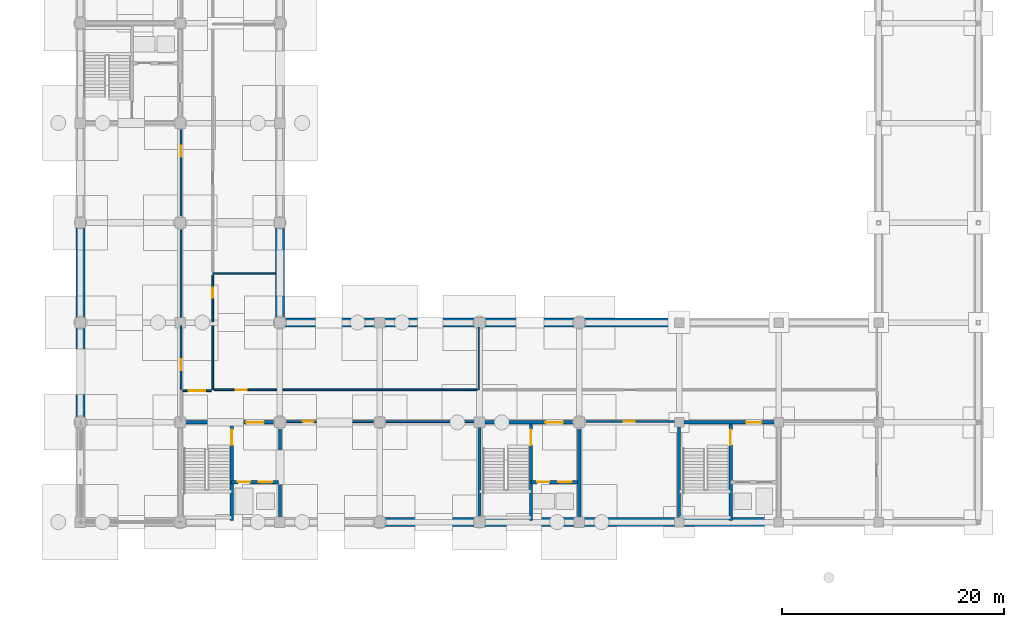
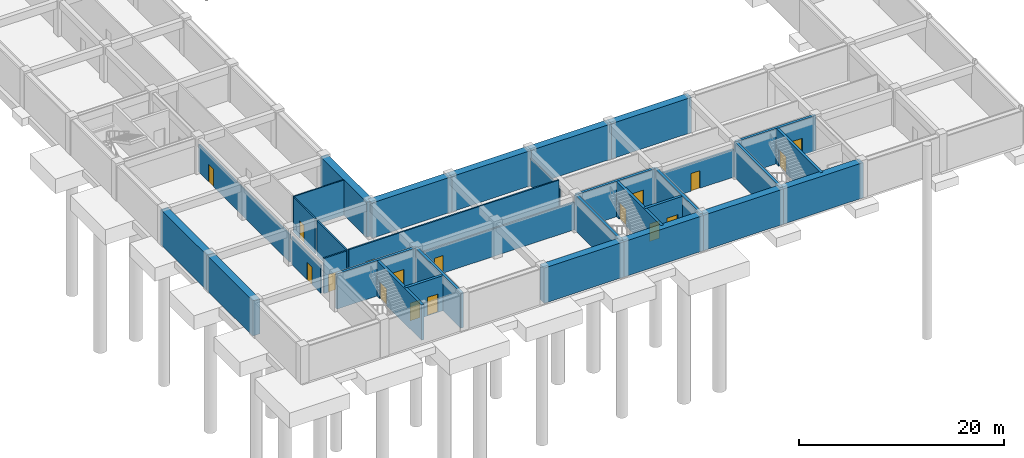
# One storey, part 23 of 41: 33 walls, 17 doors, 17 openings.
"""IFC4 building model written with IfcOpenShell, lengths in metres."""

from ifc_helpers import new_model, si_unit, direction, frame, frame_2d, origin, place, context, subcontext, project, spatial, rectangle, extrude, material, layer, layer_set, type_object, element, fill, save


model = new_model("IFC4")

# Units and contexts
model_context = context("Model", 3, precision=1e-05, world=origin(), true_north=direction((0.0, 1.0)))
body_context = subcontext(model_context, "Body", "Model", "MODEL_VIEW")
ifc_project = project(units=[si_unit("LENGTHUNIT", "METRE"), si_unit("AREAUNIT", "SQUARE_METRE"), si_unit("VOLUMEUNIT", "CUBIC_METRE"), si_unit("PLANEANGLEUNIT", "RADIAN"), si_unit("MASSUNIT", "GRAM", prefix="KILO")], contexts=[model_context])

# Site, building, storey
site_placement = place(None, origin())
site = spatial("IfcSite", under=ifc_project, at=site_placement, CompositionType="ELEMENT")
building_placement = place(site_placement, origin())
building = spatial("IfcBuilding", under=site, at=building_placement, Name="Palais des Congres Ocreval", CompositionType="ELEMENT")
storey_placement = place(building_placement, frame((0.0, 0.0, -8.9599609375)))
storey = spatial("IfcBuildingStorey", under=building, at=storey_placement, Name="B2", CompositionType="ELEMENT", Elevation=-8.9599609375)

# Wall
ifc_material_1 = material(Name="Moisture-resistant gypsum board")
ifc_layer_1 = layer(ifc_material_1, 0.139892578125)
ifc_layer_set_1 = layer_set([ifc_layer_1], Name="Bathroom Plumbing Chase Wall 140 Gypsum (Moisture-resistant gypsum board)")
wall_type_1 = type_object("IfcWallType", Name="Bathroom Plumbing Chase Wall 140 Gypsum", PredefinedType="PLUMBINGWALL", material=ifc_layer_set_1)
wall_1_placement = place(storey_placement, frame((11.93994140625, 22.43505859375, 0.0), z_axis=(0.0, 0.0, 1.0), x_axis=(1.0, 0.0, 0.0)))
element("IfcWall", 1, at=wall_1_placement, inside=storey, type_object=wall_type_1, Name="Interior Partition PW03 B2", PredefinedType="PLUMBINGWALL", context=body_context, shape_type="SweptSolid", body=[
    extrude(rectangle(XDim=5.655029296875, YDim=0.139892578125, at=frame_2d((2.82763671875, 0.0))), origin(), (0.0, 0.0, 1.0), 4.199951171875),
])

# Wall, opening, door
wall_2_placement = place(storey_placement, frame((11.93505859375, 18.070068359375, 0.0), z_axis=(0.0, 0.0, 1.0), x_axis=(0.0, 1.0, 0.0)))
wall_2 = element("IfcWall", 2, at=wall_2_placement, inside=storey, type_object=wall_type_1, Name="Interior Partition PW03 B2", PredefinedType="PLUMBINGWALL", context=body_context, shape_type="SweptSolid", body=[
    extrude(rectangle(XDim=4.2099609375, YDim=0.139892578125, at=frame_2d((2.10498046875, 0.0))), origin(), (0.0, 0.0, 1.0), 4.199951171875),
])
opening_1_placement = place(wall_2_placement, frame((2.16015625, 0.0, 0.0)))
opening_1 = element("IfcOpeningElement", 3, at=opening_1_placement, cuts=wall_2, Name="Opening D09", PredefinedType="OPENING", context=body_context, shape_type="SweptSolid", body=[
    extrude(rectangle(XDim=0.89990234375, YDim=2.10009765625, at=frame_2d((0.449951171875, 1.050048828125))), frame((0.0, 0.079833984375, 0.0), z_axis=(0.0, -1.0, 0.0), x_axis=(1.0, 0.0, 0.0)), (0.0, 0.0, 1.0), 0.159912109375),
])
ifc_material_2 = material(Name="Solid French oak", Category="wood")
door_type_1 = type_object("IfcDoorType", Name="Accessible Restroom Door 900x2100", OperationType="NOTDEFINED", PredefinedType="DOOR", material=ifc_material_2)
door_1_placement = place(opening_1_placement, origin())
door_1 = element("IfcDoor", 4, at=door_1_placement, inside=storey, type_object=door_type_1, Name="Interior Door D09 B2", OperationType="SINGLE_SWING_RIGHT", OverallHeight=2.10009765625, OverallWidth=0.89990234375, PredefinedType="DOOR", context=body_context, shape_type="SweptSolid", body=[
    extrude(rectangle(XDim=0.89990234375, YDim=2.10009765625, at=frame_2d((0.449951171875, 1.050048828125))), frame((0.0, 0.02490234375, 0.0), z_axis=(0.0, -1.0, 0.0), x_axis=(1.0, 0.0, 0.0)), (0.0, 0.0, 1.0), 0.050048828125),
])
fill(opening_1, door_1)

ifc_material_3 = material(Name="Gypsum acoustic fire board")
ifc_layer_2 = layer(ifc_material_3, 0.199951171875)
ifc_layer_set_2 = layer_set([ifc_layer_2], Name="Compartment Fire Partition 200 Gypsum (Gypsum acoustic fire board)")
wall_type_2 = type_object("IfcWallType", Name="Compartment Fire Partition 200 Gypsum", PredefinedType="PARTITIONING", material=ifc_layer_set_2)
wall_3_placement = place(storey_placement, frame((45.155029296875, 9.06494140625, 0.0), z_axis=(0.0, 0.0, 1.0), x_axis=(1.0, 0.0, 0.0)))
wall_3 = element("IfcWall", 5, at=wall_3_placement, inside=storey, type_object=wall_type_2, Name="Interior Partition IW01 B2", PredefinedType="PARTITIONING", context=body_context, shape_type="SweptSolid", body=[
    extrude(rectangle(XDim=8.68994140625, YDim=0.199951171875, at=frame_2d((4.344970703125, 0.0))), origin(), (0.0, 0.0, 1.0), 3.300048828125),
])
opening_2_placement = place(wall_3_placement, frame((3.844970703125, 0.0, 0.0)))
opening_2 = element("IfcOpeningElement", 6, at=opening_2_placement, cuts=wall_3, Name="Opening D10", PredefinedType="OPENING", context=body_context, shape_type="SweptSolid", body=[
    extrude(rectangle(XDim=1.0, YDim=2.10009765625, at=frame_2d((0.5, 1.050048828125))), frame((0.0, 0.10986328125, 0.0), z_axis=(0.0, -1.0, 0.0), x_axis=(1.0, 0.0, 0.0)), (0.0, 0.0, 1.0), 0.219970703125),
])
ifc_material_4 = material(Name="Painted steel", Category="steel")
door_type_2 = type_object("IfcDoorType", Name="Service and Pantry Door 1000x2100", OperationType="NOTDEFINED", PredefinedType="DOOR", material=ifc_material_4)
door_2_placement = place(opening_2_placement, origin())
door_2 = element("IfcDoor", 7, at=door_2_placement, inside=storey, type_object=door_type_2, Name="Interior Door D10 B2", OperationType="SINGLE_SWING_RIGHT", OverallHeight=2.10009765625, OverallWidth=1.0, PredefinedType="DOOR", context=body_context, shape_type="SweptSolid", body=[
    extrude(rectangle(XDim=1.0, YDim=2.10009765625, at=frame_2d((0.5, 1.050048828125))), frame((0.0, 0.02490234375, 0.0), z_axis=(0.0, -1.0, 0.0), x_axis=(1.0, 0.0, 0.0)), (0.0, 0.0, 1.0), 0.050048828125),
])
fill(opening_2, door_2)

# Wall
ifc_material_5 = material(Name="Concrete C40/50", Category="concrete")
ifc_layer_3 = layer(ifc_material_5, 0.300048828125)
ifc_layer_set_3 = layer_set([ifc_layer_3], Name="Core Shear Wall 300 Concrete C40/50")
wall_type_3 = type_object("IfcWallType", Name="Core Shear Wall 300 Concrete C40/50", PredefinedType="SHEAR", material=ifc_layer_set_3)
wall_4_placement = place(storey_placement, frame((18.0, 0.0, 0.0), z_axis=(0.0, 0.0, 1.0), x_axis=(0.0, 1.0, 0.0)))
element("IfcWall", 8, at=wall_4_placement, inside=storey, type_object=wall_type_3, Name="Core Shear Wall SC01 B2 E", PredefinedType="SHEAR", context=body_context, shape_type="SweptSolid", body=[
    extrude(rectangle(XDim=9.0, YDim=0.300048828125, at=frame_2d((4.5, 0.0))), origin(), (0.0, 0.0, 1.0), 4.199951171875),
])

# Wall, opening, door
wall_5_placement = place(storey_placement, frame((9.0, 9.0, 0.0), z_axis=(0.0, 0.0, 1.0), x_axis=(1.0, 0.0, 0.0)))
wall_5 = element("IfcWall", 9, at=wall_5_placement, inside=storey, type_object=wall_type_3, Name="Core Shear Wall SC01 B2 N", PredefinedType="SHEAR", context=body_context, shape_type="SweptSolid", body=[
    extrude(rectangle(XDim=9.0, YDim=0.300048828125, at=frame_2d((4.5, 0.0))), origin(), (0.0, 0.0, 1.0), 4.199951171875),
])
opening_3_placement = place(wall_5_placement, frame((5.949951171875, 0.0, 0.0)))
opening_3 = element("IfcOpeningElement", 10, at=opening_3_placement, cuts=wall_5, Name="Opening D02", PredefinedType="OPENING", context=body_context, shape_type="SweptSolid", body=[
    extrude(rectangle(XDim=1.60009765625, YDim=2.10009765625, at=frame_2d((0.800048828125, 1.050048828125))), frame((0.0, 0.159912109375, 0.0), z_axis=(0.0, -1.0, 0.0), x_axis=(1.0, 0.0, 0.0)), (0.0, 0.0, 1.0), 0.320068359375),
])
ifc_material_6 = material(Name="Painted fire-rated steel", Category="steel")
door_type_3 = type_object("IfcDoorType", Name="Firefighting Lobby Rated Door 1600x2100", OperationType="NOTDEFINED", PredefinedType="DOOR", material=ifc_material_6)
door_3_placement = place(opening_3_placement, origin())
door_3 = element("IfcDoor", 11, at=door_3_placement, inside=storey, type_object=door_type_3, Name="Firefighting Lobby Entrance Door SC01 B2", OperationType="DOUBLE_DOOR_SINGLE_SWING", OverallHeight=2.10009765625, OverallWidth=1.60009765625, PredefinedType="DOOR", context=body_context, shape_type="SweptSolid", body=[
    extrude(rectangle(XDim=1.60009765625, YDim=2.10009765625, at=frame_2d((0.800048828125, 1.050048828125))), frame((0.0, 0.02490234375, 0.0), z_axis=(0.0, -1.0, 0.0), x_axis=(1.0, 0.0, 0.0)), (0.0, 0.0, 1.0), 0.050048828125),
])
fill(opening_3, door_3)

wall_6_placement = place(storey_placement, frame((13.64990234375, 0.14990234375, 0.0), z_axis=(0.0, 0.0, 1.0), x_axis=(0.0, 1.0, 0.0)))
wall_6 = element("IfcWall", 12, at=wall_6_placement, inside=storey, type_object=wall_type_3, Name="Core Spine Shear Wall SC01 B2", PredefinedType="SHEAR", context=body_context, shape_type="SweptSolid", body=[
    extrude(rectangle(XDim=8.7001953125, YDim=0.300048828125, at=frame_2d((4.35009765625, 0.0))), origin(), (0.0, 0.0, 1.0), 4.199951171875),
])
opening_4_placement = place(wall_6_placement, frame((6.800048828125, 0.0, 0.0)))
opening_4 = element("IfcOpeningElement", 13, at=opening_4_placement, cuts=wall_6, Name="Opening D03", PredefinedType="OPENING", context=body_context, shape_type="SweptSolid", body=[
    extrude(rectangle(XDim=1.39990234375, YDim=2.02001953125, at=frame_2d((0.699951171875, 1.010009765625))), frame((0.0, 0.159912109375, 0.0), z_axis=(0.0, -1.0, 0.0), x_axis=(1.0, 0.0, 0.0)), (0.0, 0.0, 1.0), 0.320068359375),
])
door_type_4 = type_object("IfcDoorType", Name="Core Lobby Rated Door 1400x2020", OperationType="NOTDEFINED", PredefinedType="DOOR", material=ifc_material_6)
door_4_placement = place(opening_4_placement, origin())
door_4 = element("IfcDoor", 14, at=door_4_placement, inside=storey, type_object=door_type_4, Name="Protected Exit Stair Door ST01 B2", OperationType="SINGLE_SWING_LEFT", OverallHeight=2.02001953125, OverallWidth=1.39990234375, PredefinedType="DOOR", context=body_context, shape_type="SweptSolid", body=[
    extrude(rectangle(XDim=1.39990234375, YDim=2.02001953125, at=frame_2d((0.699951171875, 1.010009765625))), frame((0.0, 0.02490234375, 0.0), z_axis=(0.0, -1.0, 0.0), x_axis=(1.0, 0.0, 0.0)), (0.0, 0.0, 1.0), 0.050048828125),
])
fill(opening_4, door_4)

# Wall, openings, doors
wall_7_placement = place(storey_placement, frame((13.64990234375, 3.60009765625, 0.0), z_axis=(0.0, 0.0, 1.0), x_axis=(1.0, 0.0, 0.0)))
wall_7 = element("IfcWall", 15, at=wall_7_placement, inside=storey, type_object=wall_type_3, Name="Lift Shaft Front Wall SC01 B2", PredefinedType="SHEAR", context=body_context, shape_type="SweptSolid", body=[
    extrude(rectangle(XDim=4.2001953125, YDim=0.300048828125, at=frame_2d((2.10009765625, 0.0))), origin(), (0.0, 0.0, 1.0), 4.199951171875),
])
opening_5_placement = place(wall_7_placement, frame((0.550048828125, 0.0, 0.0)))
opening_5 = element("IfcOpeningElement", 16, at=opening_5_placement, cuts=wall_7, Name="Opening LD01", PredefinedType="OPENING", context=body_context, shape_type="SweptSolid", body=[
    extrude(rectangle(XDim=1.10009765625, YDim=2.10009765625, at=frame_2d((0.550048828125, 1.050048828125))), frame((0.0, 0.159912109375, 0.0), z_axis=(0.0, -1.0, 0.0), x_axis=(1.0, 0.0, 0.0)), (0.0, 0.0, 1.0), 0.320068359375),
])
opening_6_placement = place(wall_7_placement, frame((2.449951171875, 0.0, 0.0)))
opening_6 = element("IfcOpeningElement", 17, at=opening_6_placement, cuts=wall_7, Name="Opening LD02", PredefinedType="OPENING", context=body_context, shape_type="SweptSolid", body=[
    extrude(rectangle(XDim=1.199951171875, YDim=2.199951171875, at=frame_2d((0.60009765625, 1.10009765625))), frame((0.0, 0.159912109375, 0.0), z_axis=(0.0, -1.0, 0.0), x_axis=(1.0, 0.0, 0.0)), (0.0, 0.0, 1.0), 0.320068359375),
])
ifc_material_7 = material(Name="Stainless steel", Category="steel")
door_type_5 = type_object("IfcDoorType", Name="Firefighting Lift Sliding Landing Door 1100x2100", OperationType="NOTDEFINED", PredefinedType="DOOR", material=ifc_material_7)
door_5_placement = place(opening_5_placement, origin())
door_5 = element("IfcDoor", 18, at=door_5_placement, inside=storey, type_object=door_type_5, Name="Lift Landing Sliding Door FF1 B2", OperationType="DOUBLE_DOOR_SLIDING", OverallHeight=2.10009765625, OverallWidth=1.10009765625, PredefinedType="DOOR", context=body_context, shape_type="SweptSolid", body=[
    extrude(rectangle(XDim=1.10009765625, YDim=2.10009765625, at=frame_2d((0.550048828125, 1.050048828125))), frame((0.0, 0.02490234375, 0.0), z_axis=(0.0, -1.0, 0.0), x_axis=(1.0, 0.0, 0.0)), (0.0, 0.0, 1.0), 0.050048828125),
])
fill(opening_5, door_5)
ifc_material_8 = material(Name="Anodized bronze steel", Category="steel")
door_type_6 = type_object("IfcDoorType", Name="Passenger and Service Lift Sliding Door 1200x2200", OperationType="NOTDEFINED", PredefinedType="DOOR", material=ifc_material_8)
door_6_placement = place(opening_6_placement, origin())
door_6 = element("IfcDoor", 19, at=door_6_placement, inside=storey, type_object=door_type_6, Name="Lift Landing Sliding Door PL1 B2", OperationType="DOUBLE_DOOR_SLIDING", OverallHeight=2.199951171875, OverallWidth=1.199951171875, PredefinedType="DOOR", context=body_context, shape_type="SweptSolid", body=[
    extrude(rectangle(XDim=1.199951171875, YDim=2.199951171875, at=frame_2d((0.60009765625, 1.10009765625))), frame((0.0, 0.02490234375, 0.0), z_axis=(0.0, -1.0, 0.0), x_axis=(1.0, 0.0, 0.0)), (0.0, 0.0, 1.0), 0.050048828125),
])
fill(opening_6, door_6)

# Wall
wall_8_placement = place(storey_placement, frame((45.0, 0.0, 0.0), z_axis=(0.0, 0.0, 1.0), x_axis=(0.0, 1.0, 0.0)))
element("IfcWall", 20, at=wall_8_placement, inside=storey, type_object=wall_type_3, Name="Core Shear Wall SC02 B2 E", PredefinedType="SHEAR", context=body_context, shape_type="SweptSolid", body=[
    extrude(rectangle(XDim=9.0, YDim=0.300048828125, at=frame_2d((4.5, 0.0))), origin(), (0.0, 0.0, 1.0), 4.199951171875),
])

# Wall, opening, door
wall_9_placement = place(storey_placement, frame((36.0, 9.0, 0.0), z_axis=(0.0, 0.0, 1.0), x_axis=(1.0, 0.0, 0.0)))
wall_9 = element("IfcWall", 21, at=wall_9_placement, inside=storey, type_object=wall_type_3, Name="Core Shear Wall SC02 B2 N", PredefinedType="SHEAR", context=body_context, shape_type="SweptSolid", body=[
    extrude(rectangle(XDim=9.0, YDim=0.300048828125, at=frame_2d((4.5, 0.0))), origin(), (0.0, 0.0, 1.0), 4.199951171875),
])
opening_7_placement = place(wall_9_placement, frame((5.949951171875, 0.0, 0.0)))
opening_7 = element("IfcOpeningElement", 22, at=opening_7_placement, cuts=wall_9, Name="Opening D02", PredefinedType="OPENING", context=body_context, shape_type="SweptSolid", body=[
    extrude(rectangle(XDim=1.60009765625, YDim=2.10009765625, at=frame_2d((0.800048828125, 1.050048828125))), frame((0.0, 0.159912109375, 0.0), z_axis=(0.0, -1.0, 0.0), x_axis=(1.0, 0.0, 0.0)), (0.0, 0.0, 1.0), 0.320068359375),
])
door_7_placement = place(opening_7_placement, origin())
door_7 = element("IfcDoor", 23, at=door_7_placement, inside=storey, type_object=door_type_3, Name="Firefighting Lobby Entrance Door SC02 B2", OperationType="DOUBLE_DOOR_SINGLE_SWING", OverallHeight=2.10009765625, OverallWidth=1.60009765625, PredefinedType="DOOR", context=body_context, shape_type="SweptSolid", body=[
    extrude(rectangle(XDim=1.60009765625, YDim=2.10009765625, at=frame_2d((0.800048828125, 1.050048828125))), frame((0.0, 0.02490234375, 0.0), z_axis=(0.0, -1.0, 0.0), x_axis=(1.0, 0.0, 0.0)), (0.0, 0.0, 1.0), 0.050048828125),
])
fill(opening_7, door_7)

# Wall
wall_10_placement = place(storey_placement, frame((36.0, 0.0, 0.0), z_axis=(0.0, 0.0, 1.0), x_axis=(0.0, 1.0, 0.0)))
element("IfcWall", 24, at=wall_10_placement, inside=storey, type_object=wall_type_3, Name="Core Shear Wall SC02 B2 W", PredefinedType="SHEAR", context=body_context, shape_type="SweptSolid", body=[
    extrude(rectangle(XDim=9.0, YDim=0.300048828125, at=frame_2d((4.5, 0.0))), origin(), (0.0, 0.0, 1.0), 4.199951171875),
])

# Wall, opening, door
wall_11_placement = place(storey_placement, frame((40.64990234375, 0.14990234375, 0.0), z_axis=(0.0, 0.0, 1.0), x_axis=(0.0, 1.0, 0.0)))
wall_11 = element("IfcWall", 25, at=wall_11_placement, inside=storey, type_object=wall_type_3, Name="Core Spine Shear Wall SC02 B2", PredefinedType="SHEAR", context=body_context, shape_type="SweptSolid", body=[
    extrude(rectangle(XDim=8.7001953125, YDim=0.300048828125, at=frame_2d((4.35009765625, 0.0))), origin(), (0.0, 0.0, 1.0), 4.199951171875),
])
opening_8_placement = place(wall_11_placement, frame((6.800048828125, 0.0, 0.0)))
opening_8 = element("IfcOpeningElement", 26, at=opening_8_placement, cuts=wall_11, Name="Opening D03", PredefinedType="OPENING", context=body_context, shape_type="SweptSolid", body=[
    extrude(rectangle(XDim=1.39990234375, YDim=2.02001953125, at=frame_2d((0.699951171875, 1.010009765625))), frame((0.0, 0.159912109375, 0.0), z_axis=(0.0, -1.0, 0.0), x_axis=(1.0, 0.0, 0.0)), (0.0, 0.0, 1.0), 0.320068359375),
])
door_8_placement = place(opening_8_placement, origin())
door_8 = element("IfcDoor", 27, at=door_8_placement, inside=storey, type_object=door_type_4, Name="Protected Exit Stair Door ST02 B2", OperationType="SINGLE_SWING_RIGHT", OverallHeight=2.02001953125, OverallWidth=1.39990234375, PredefinedType="DOOR", context=body_context, shape_type="SweptSolid", body=[
    extrude(rectangle(XDim=1.39990234375, YDim=2.02001953125, at=frame_2d((0.699951171875, 1.010009765625))), frame((0.0, 0.02490234375, 0.0), z_axis=(0.0, -1.0, 0.0), x_axis=(1.0, 0.0, 0.0)), (0.0, 0.0, 1.0), 0.050048828125),
])
fill(opening_8, door_8)

# Wall, openings, doors
wall_12_placement = place(storey_placement, frame((40.64990234375, 3.60009765625, 0.0), z_axis=(0.0, 0.0, 1.0), x_axis=(1.0, 0.0, 0.0)))
wall_12 = element("IfcWall", 28, at=wall_12_placement, inside=storey, type_object=wall_type_3, Name="Lift Shaft Front Wall SC02 B2", PredefinedType="SHEAR", context=body_context, shape_type="SweptSolid", body=[
    extrude(rectangle(XDim=4.2001953125, YDim=0.300048828125, at=frame_2d((2.10009765625, 0.0))), origin(), (0.0, 0.0, 1.0), 4.199951171875),
])
opening_9_placement = place(wall_12_placement, frame((0.550048828125, 0.0, 0.0)))
opening_9 = element("IfcOpeningElement", 29, at=opening_9_placement, cuts=wall_12, Name="Opening LD01", PredefinedType="OPENING", context=body_context, shape_type="SweptSolid", body=[
    extrude(rectangle(XDim=1.10009765625, YDim=2.10009765625, at=frame_2d((0.550048828125, 1.050048828125))), frame((0.0, 0.159912109375, 0.0), z_axis=(0.0, -1.0, 0.0), x_axis=(1.0, 0.0, 0.0)), (0.0, 0.0, 1.0), 0.320068359375),
])
opening_10_placement = place(wall_12_placement, frame((2.449951171875, 0.0, 0.0)))
opening_10 = element("IfcOpeningElement", 30, at=opening_10_placement, cuts=wall_12, Name="Opening LD02", PredefinedType="OPENING", context=body_context, shape_type="SweptSolid", body=[
    extrude(rectangle(XDim=1.199951171875, YDim=2.199951171875, at=frame_2d((0.60009765625, 1.10009765625))), frame((0.0, 0.159912109375, 0.0), z_axis=(0.0, -1.0, 0.0), x_axis=(1.0, 0.0, 0.0)), (0.0, 0.0, 1.0), 0.320068359375),
])
door_9_placement = place(opening_9_placement, origin())
door_9 = element("IfcDoor", 31, at=door_9_placement, inside=storey, type_object=door_type_5, Name="Lift Landing Sliding Door FF2 B2", OperationType="DOUBLE_DOOR_SLIDING", OverallHeight=2.10009765625, OverallWidth=1.10009765625, PredefinedType="DOOR", context=body_context, shape_type="SweptSolid", body=[
    extrude(rectangle(XDim=1.10009765625, YDim=2.10009765625, at=frame_2d((0.550048828125, 1.050048828125))), frame((0.0, 0.02490234375, 0.0), z_axis=(0.0, -1.0, 0.0), x_axis=(1.0, 0.0, 0.0)), (0.0, 0.0, 1.0), 0.050048828125),
])
fill(opening_9, door_9)
door_10_placement = place(opening_10_placement, origin())
door_10 = element("IfcDoor", 32, at=door_10_placement, inside=storey, type_object=door_type_6, Name="Lift Landing Sliding Door PL2 B2", OperationType="DOUBLE_DOOR_SLIDING", OverallHeight=2.199951171875, OverallWidth=1.199951171875, PredefinedType="DOOR", context=body_context, shape_type="SweptSolid", body=[
    extrude(rectangle(XDim=1.199951171875, YDim=2.199951171875, at=frame_2d((0.60009765625, 1.10009765625))), frame((0.0, 0.02490234375, 0.0), z_axis=(0.0, -1.0, 0.0), x_axis=(1.0, 0.0, 0.0)), (0.0, 0.0, 1.0), 0.050048828125),
])
fill(opening_10, door_10)

# Wall, opening, door
wall_13_placement = place(storey_placement, frame((54.0, 9.0, 0.0), z_axis=(0.0, 0.0, 1.0), x_axis=(1.0, 0.0, 0.0)))
wall_13 = element("IfcWall", 33, at=wall_13_placement, inside=storey, type_object=wall_type_3, Name="Core Shear Wall SC04 B2 N", PredefinedType="SHEAR", context=body_context, shape_type="SweptSolid", body=[
    extrude(rectangle(XDim=9.0, YDim=0.300048828125, at=frame_2d((4.5, 0.0))), origin(), (0.0, 0.0, 1.0), 4.199951171875),
])
opening_11_placement = place(wall_13_placement, frame((6.050048828125, 0.0, 0.0)))
opening_11 = element("IfcOpeningElement", 34, at=opening_11_placement, cuts=wall_13, Name="Opening D03", PredefinedType="OPENING", context=body_context, shape_type="SweptSolid", body=[
    extrude(rectangle(XDim=1.39990234375, YDim=2.02001953125, at=frame_2d((0.699951171875, 1.010009765625))), frame((0.0, 0.159912109375, 0.0), z_axis=(0.0, -1.0, 0.0), x_axis=(1.0, 0.0, 0.0)), (0.0, 0.0, 1.0), 0.320068359375),
])
door_11_placement = place(opening_11_placement, origin())
door_11 = element("IfcDoor", 35, at=door_11_placement, inside=storey, type_object=door_type_4, Name="Lobby Entrance Door SC04 B2", OperationType="DOUBLE_DOOR_SINGLE_SWING", OverallHeight=2.02001953125, OverallWidth=1.39990234375, PredefinedType="DOOR", context=body_context, shape_type="SweptSolid", body=[
    extrude(rectangle(XDim=1.39990234375, YDim=2.02001953125, at=frame_2d((0.699951171875, 1.010009765625))), frame((0.0, 0.02490234375, 0.0), z_axis=(0.0, -1.0, 0.0), x_axis=(1.0, 0.0, 0.0)), (0.0, 0.0, 1.0), 0.050048828125),
])
fill(opening_11, door_11)

# Wall
wall_14_placement = place(storey_placement, frame((54.0, 0.0, 0.0), z_axis=(0.0, 0.0, 1.0), x_axis=(0.0, 1.0, 0.0)))
element("IfcWall", 36, at=wall_14_placement, inside=storey, type_object=wall_type_3, Name="Core Shear Wall SC04 B2 W", PredefinedType="SHEAR", context=body_context, shape_type="SweptSolid", body=[
    extrude(rectangle(XDim=9.0, YDim=0.300048828125, at=frame_2d((4.5, 0.0))), origin(), (0.0, 0.0, 1.0), 4.199951171875),
])

# Wall, opening, door
wall_15_placement = place(storey_placement, frame((58.64990234375, 0.14990234375, 0.0), z_axis=(0.0, 0.0, 1.0), x_axis=(0.0, 1.0, 0.0)))
wall_15 = element("IfcWall", 37, at=wall_15_placement, inside=storey, type_object=wall_type_3, Name="Core Spine Shear Wall SC04 B2", PredefinedType="SHEAR", context=body_context, shape_type="SweptSolid", body=[
    extrude(rectangle(XDim=8.7001953125, YDim=0.300048828125, at=frame_2d((4.35009765625, 0.0))), origin(), (0.0, 0.0, 1.0), 4.199951171875),
])
opening_12_placement = place(wall_15_placement, frame((6.800048828125, 0.0, 0.0)))
opening_12 = element("IfcOpeningElement", 38, at=opening_12_placement, cuts=wall_15, Name="Opening D03", PredefinedType="OPENING", context=body_context, shape_type="SweptSolid", body=[
    extrude(rectangle(XDim=1.39990234375, YDim=2.02001953125, at=frame_2d((0.699951171875, 1.010009765625))), frame((0.0, 0.159912109375, 0.0), z_axis=(0.0, -1.0, 0.0), x_axis=(1.0, 0.0, 0.0)), (0.0, 0.0, 1.0), 0.320068359375),
])
door_12_placement = place(opening_12_placement, origin())
door_12 = element("IfcDoor", 39, at=door_12_placement, inside=storey, type_object=door_type_4, Name="Protected Exit Stair Door ST04 B2", OperationType="SINGLE_SWING_RIGHT", OverallHeight=2.02001953125, OverallWidth=1.39990234375, PredefinedType="DOOR", context=body_context, shape_type="SweptSolid", body=[
    extrude(rectangle(XDim=1.39990234375, YDim=2.02001953125, at=frame_2d((0.699951171875, 1.010009765625))), frame((0.0, 0.02490234375, 0.0), z_axis=(0.0, -1.0, 0.0), x_axis=(1.0, 0.0, 0.0)), (0.0, 0.0, 1.0), 0.050048828125),
])
fill(opening_12, door_12)

# Wall
ifc_material_9 = material(Name="Gypsum acoustic partition")
ifc_layer_4 = layer(ifc_material_9, 0.159912109375)
ifc_layer_set_4 = layer_set([ifc_layer_4], Name="Corridor Fire Partition 160 Gypsum (Gypsum acoustic partition)")
wall_type_4 = type_object("IfcWallType", Name="Corridor Fire Partition 160 Gypsum", PredefinedType="PARTITIONING", material=ifc_layer_set_4)
wall_16_placement = place(storey_placement, frame((11.93505859375, 11.93994140625, 0.0), z_axis=(0.0, 0.0, 1.0), x_axis=(0.0, 1.0, 0.0)))
element("IfcWall", 40, at=wall_16_placement, inside=storey, type_object=wall_type_4, Name="Interior Partition IW03 B2", PredefinedType="PARTITIONING", context=body_context, shape_type="SweptSolid", body=[
    extrude(rectangle(XDim=5.7900390625, YDim=0.159912109375, at=frame_2d((2.89501953125, 0.0))), origin(), (0.0, 0.0, 1.0), 4.199951171875),
])

# Wall, opening, door
wall_17_placement = place(storey_placement, frame((9.219970703125, 11.85009765625, 0.0), z_axis=(0.0, 0.0, 1.0), x_axis=(1.0, 0.0, 0.0)))
wall_17 = element("IfcWall", 41, at=wall_17_placement, inside=storey, type_object=wall_type_4, Name="Interior Partition IW03 B2", PredefinedType="PARTITIONING", context=body_context, shape_type="SweptSolid", body=[
    extrude(rectangle(XDim=2.56005859375, YDim=0.159912109375, at=frame_2d((1.280029296875, 0.0))), origin(), (0.0, 0.0, 1.0), 4.199951171875),
])
opening_13_placement = place(wall_17_placement, frame((0.530029296875, 0.0, 0.0)))
opening_13 = element("IfcOpeningElement", 42, at=opening_13_placement, cuts=wall_17, Name="Opening D04", PredefinedType="OPENING", context=body_context, shape_type="SweptSolid", body=[
    extrude(rectangle(XDim=1.5, YDim=2.10009765625, at=frame_2d((0.75, 1.050048828125))), frame((0.0, 0.08984375, 0.0), z_axis=(0.0, -1.0, 0.0), x_axis=(1.0, 0.0, 0.0)), (0.0, 0.0, 1.0), 0.179931640625),
])
ifc_material_10 = material(Name="Solid French oak fire door", Category="wood")
door_type_7 = type_object("IfcDoorType", Name="Corridor Compartment Double Door 1500x2100", OperationType="NOTDEFINED", PredefinedType="DOOR", material=ifc_material_10)
door_13_placement = place(opening_13_placement, origin())
door_13 = element("IfcDoor", 43, at=door_13_placement, inside=storey, type_object=door_type_7, Name="Interior Door D04 B2", OperationType="DOUBLE_DOOR_SINGLE_SWING", OverallHeight=2.10009765625, OverallWidth=1.5, PredefinedType="DOOR", context=body_context, shape_type="SweptSolid", body=[
    extrude(rectangle(XDim=1.5, YDim=2.10009765625, at=frame_2d((0.75, 1.050048828125))), frame((0.0, 0.02490234375, 0.0), z_axis=(0.0, -1.0, 0.0), x_axis=(1.0, 0.0, 0.0)), (0.0, 0.0, 1.0), 0.050048828125),
])
fill(opening_13, door_13)

wall_18_placement = place(storey_placement, frame((18.155029296875, 9.06494140625, 0.0), z_axis=(0.0, 0.0, 1.0), x_axis=(1.0, 0.0, 0.0)))
wall_18 = element("IfcWall", 44, at=wall_18_placement, inside=storey, type_object=wall_type_4, Name="Interior Partition IW03 B2", PredefinedType="PARTITIONING", context=body_context, shape_type="SweptSolid", body=[
    extrude(rectangle(XDim=17.68994140625, YDim=0.159912109375, at=frame_2d((8.844970703125, 0.0))), origin(), (0.0, 0.0, 1.0), 3.300048828125),
])
opening_14_placement = place(wall_18_placement, frame((1.89990234375, 0.0, 0.0)))
opening_14 = element("IfcOpeningElement", 45, at=opening_14_placement, cuts=wall_18, Name="Opening D10", PredefinedType="OPENING", context=body_context, shape_type="SweptSolid", body=[
    extrude(rectangle(XDim=1.0, YDim=2.10009765625, at=frame_2d((0.5, 1.050048828125))), frame((0.0, 0.08984375, 0.0), z_axis=(0.0, -1.0, 0.0), x_axis=(1.0, 0.0, 0.0)), (0.0, 0.0, 1.0), 0.179931640625),
])
door_14_placement = place(opening_14_placement, origin())
door_14 = element("IfcDoor", 46, at=door_14_placement, inside=storey, type_object=door_type_2, Name="Interior Door D10 B2", OperationType="SINGLE_SWING_LEFT", OverallHeight=2.10009765625, OverallWidth=1.0, PredefinedType="DOOR", context=body_context, shape_type="SweptSolid", body=[
    extrude(rectangle(XDim=1.0, YDim=2.10009765625, at=frame_2d((0.5, 1.050048828125))), frame((0.0, 0.02490234375, 0.0), z_axis=(0.0, -1.0, 0.0), x_axis=(1.0, 0.0, 0.0)), (0.0, 0.0, 1.0), 0.050048828125),
])
fill(opening_14, door_14)

wall_19_placement = place(storey_placement, frame((12.090087890625, 11.93505859375, 0.0), z_axis=(0.0, 0.0, 1.0), x_axis=(1.0, 0.0, 0.0)))
wall_19 = element("IfcWall", 47, at=wall_19_placement, inside=storey, type_object=wall_type_4, Name="Interior Partition IW03 B2", PredefinedType="PARTITIONING", context=body_context, shape_type="SweptSolid", body=[
    extrude(rectangle(XDim=23.68994140625, YDim=0.159912109375, at=frame_2d((11.844970703125, 0.0))), origin(), (0.0, 0.0, 1.0), 4.199951171875),
])
opening_15_placement = place(wall_19_placement, frame((1.89990234375, 0.0, 0.0)))
opening_15 = element("IfcOpeningElement", 48, at=opening_15_placement, cuts=wall_19, Name="Opening D10", PredefinedType="OPENING", context=body_context, shape_type="SweptSolid", body=[
    extrude(rectangle(XDim=1.0, YDim=2.10009765625, at=frame_2d((0.5, 1.050048828125))), frame((0.0, 0.08984375, 0.0), z_axis=(0.0, -1.0, 0.0), x_axis=(1.0, 0.0, 0.0)), (0.0, 0.0, 1.0), 0.179931640625),
])
door_15_placement = place(opening_15_placement, origin())
door_15 = element("IfcDoor", 49, at=door_15_placement, inside=storey, type_object=door_type_2, Name="Interior Door D10 B2", OperationType="SINGLE_SWING_LEFT", OverallHeight=2.10009765625, OverallWidth=1.0, PredefinedType="DOOR", context=body_context, shape_type="SweptSolid", body=[
    extrude(rectangle(XDim=1.0, YDim=2.10009765625, at=frame_2d((0.5, 1.050048828125))), frame((0.0, 0.02490234375, 0.0), z_axis=(0.0, -1.0, 0.0), x_axis=(1.0, 0.0, 0.0)), (0.0, 0.0, 1.0), 0.050048828125),
])
fill(opening_15, door_15)

wall_20_placement = place(storey_placement, frame((9.06494140625, 12.0048828125, 0.0), z_axis=(0.0, 0.0, 1.0), x_axis=(0.0, 1.0, 0.0)))
wall_20 = element("IfcWall", 50, at=wall_20_placement, inside=storey, type_object=wall_type_4, Name="Interior Partition IW03 B2", PredefinedType="PARTITIONING", context=body_context, shape_type="SweptSolid", body=[
    extrude(rectangle(XDim=5.72509765625, YDim=0.159912109375, at=frame_2d((2.862548828125, 0.0))), origin(), (0.0, 0.0, 1.0), 3.300048828125),
])
opening_16_placement = place(wall_20_placement, frame((1.675537109375, 0.0, 0.0)))
opening_16 = element("IfcOpeningElement", 51, at=opening_16_placement, cuts=wall_20, Name="Opening D10", PredefinedType="OPENING", context=body_context, shape_type="SweptSolid", body=[
    extrude(rectangle(XDim=1.0, YDim=2.10009765625, at=frame_2d((0.5, 1.050048828125))), frame((0.0, 0.08984375, 0.0), z_axis=(0.0, -1.0, 0.0), x_axis=(1.0, 0.0, 0.0)), (0.0, 0.0, 1.0), 0.179931640625),
])
door_16_placement = place(opening_16_placement, origin())
door_16 = element("IfcDoor", 52, at=door_16_placement, inside=storey, type_object=door_type_2, Name="Interior Door D10 B2", OperationType="SINGLE_SWING_LEFT", OverallHeight=2.10009765625, OverallWidth=1.0, PredefinedType="DOOR", context=body_context, shape_type="SweptSolid", body=[
    extrude(rectangle(XDim=1.0, YDim=2.10009765625, at=frame_2d((0.5, 1.050048828125))), frame((0.0, 0.02490234375, 0.0), z_axis=(0.0, -1.0, 0.0), x_axis=(1.0, 0.0, 0.0)), (0.0, 0.0, 1.0), 0.050048828125),
])
fill(opening_16, door_16)

wall_21_placement = place(storey_placement, frame((9.06494140625, 18.070068359375, 0.0), z_axis=(0.0, 0.0, 1.0), x_axis=(0.0, 1.0, 0.0)))
wall_21 = element("IfcWall", 53, at=wall_21_placement, inside=storey, type_object=wall_type_4, Name="Interior Partition IW03 B2", PredefinedType="PARTITIONING", context=body_context, shape_type="SweptSolid", body=[
    extrude(rectangle(XDim=17.77490234375, YDim=0.159912109375, at=frame_2d((8.887451171875, 0.0))), origin(), (0.0, 0.0, 1.0), 3.300048828125),
])
opening_17_placement = place(wall_21_placement, frame((14.875, 0.0, 0.0)))
opening_17 = element("IfcOpeningElement", 54, at=opening_17_placement, cuts=wall_21, Name="Opening D10", PredefinedType="OPENING", context=body_context, shape_type="SweptSolid", body=[
    extrude(rectangle(XDim=1.0, YDim=2.10009765625, at=frame_2d((0.5, 1.050048828125))), frame((0.0, 0.08984375, 0.0), z_axis=(0.0, -1.0, 0.0), x_axis=(1.0, 0.0, 0.0)), (0.0, 0.0, 1.0), 0.179931640625),
])
door_17_placement = place(opening_17_placement, origin())
door_17 = element("IfcDoor", 55, at=door_17_placement, inside=storey, type_object=door_type_2, Name="Interior Door D10 B2", OperationType="SINGLE_SWING_RIGHT", OverallHeight=2.10009765625, OverallWidth=1.0, PredefinedType="DOOR", context=body_context, shape_type="SweptSolid", body=[
    extrude(rectangle(XDim=1.0, YDim=2.10009765625, at=frame_2d((0.5, 1.050048828125))), frame((0.0, 0.02490234375, 0.0), z_axis=(0.0, -1.0, 0.0), x_axis=(1.0, 0.0, 0.0)), (0.0, 0.0, 1.0), 0.050048828125),
])
fill(opening_17, door_17)

# Walls
ifc_material_11 = material(Name="Concrete C35/45", Category="concrete")
ifc_layer_5 = layer(ifc_material_11, 0.800048828125)
ifc_layer_set_5 = layer_set([ifc_layer_5], Name="Retaining Diaphragm Wall 800 Concrete C35/45")
wall_type_5 = type_object("IfcWallType", Name="Retaining Diaphragm Wall 800 Concrete C35/45", PredefinedType="USERDEFINED", material=ifc_layer_set_5)
for number, where, z_axis, x_axis, name in (
    (56, (63.0, 0.0, 0.0), (0.0, 0.0, 1.0), (-1.0, 0.0, 0.0), "Basement Diaphragm Wall RW01 B2"),
    (57, (54.0, 0.0, 0.0), (0.0, 0.0, 1.0), (-1.0, 0.0, 0.0), "Basement Diaphragm Wall RW01 B2"),
    (58, (45.0, 0.0, 0.0), (0.0, 0.0, 1.0), (-1.0, 0.0, 0.0), "Basement Diaphragm Wall RW01 B2"),
    (59, (36.0, 0.0, 0.0), (0.0, 0.0, 1.0), (-1.0, 0.0, 0.0), "Basement Diaphragm Wall RW01 B2"),
    (60, (0.0, 9.0, 0.0), (0.0, 0.0, 1.0), (0.0, 1.0, 0.0), "Basement Diaphragm Wall RW01 B2"),
    (61, (0.0, 18.0, 0.0), (0.0, 0.0, 1.0), (0.0, 1.0, 0.0), "Basement Diaphragm Wall RW01 B2"),
    (62, (18.0, 27.0, 0.0), (0.0, 0.0, 1.0), (0.0, -1.0, 0.0), "Basement Diaphragm Wall RW01 B2"),
    (63, (18.0, 18.0, 0.0), (0.0, 0.0, 1.0), (1.0, 0.0, 0.0), "Basement Diaphragm Wall RW01 B2"),
    (64, (27.0, 18.0, 0.0), (0.0, 0.0, 1.0), (1.0, 0.0, 0.0), "Basement Diaphragm Wall RW01 B2"),
    (65, (36.0, 18.0, 0.0), (0.0, 0.0, 1.0), (1.0, 0.0, 0.0), "Basement Diaphragm Wall RW01 B2"),
    (66, (45.0, 18.0, 0.0), (0.0, 0.0, 1.0), (1.0, 0.0, 0.0), "Basement Diaphragm Wall RW01 B2"),
):
    element("IfcWall", number, at=place(storey_placement, frame(where, z_axis=z_axis, x_axis=x_axis)), inside=storey, type_object=wall_type_5, Name=name, ObjectType="RETAININGWALL", PredefinedType="USERDEFINED", context=body_context, shape_type="SweptSolid", body=[
        extrude(rectangle(XDim=9.0, YDim=0.800048828125, at=frame_2d((4.5, 0.0))), origin(), (0.0, 0.0, 1.0), 4.199951171875),
    ])
ifc_material_12 = material(Name="Gypsum board partition")
ifc_layer_6 = layer(ifc_material_12, 0.1201171875)
ifc_layer_set_6 = layer_set([ifc_layer_6], Name="Suite Subdivision Partition 120 Gypsum (Gypsum board partition)")
wall_type_6 = type_object("IfcWallType", Name="Suite Subdivision Partition 120 Gypsum", PredefinedType="PARTITIONING", material=ifc_layer_set_6)
wall_22_placement = place(storey_placement, frame((35.93505859375, 11.93994140625, 0.0), z_axis=(0.0, 0.0, 1.0), x_axis=(0.0, 1.0, 0.0)))
element("IfcWall", 67, at=wall_22_placement, inside=storey, type_object=wall_type_6, Name="Interior Partition IW04 B2", PredefinedType="PARTITIONING", context=body_context, shape_type="SweptSolid", body=[
    extrude(rectangle(XDim=5.655029296875, YDim=0.1201171875, at=frame_2d((2.82763671875, 0.0))), origin(), (0.0, 0.0, 1.0), 3.300048828125),
])

save(model, "model.ifc")
